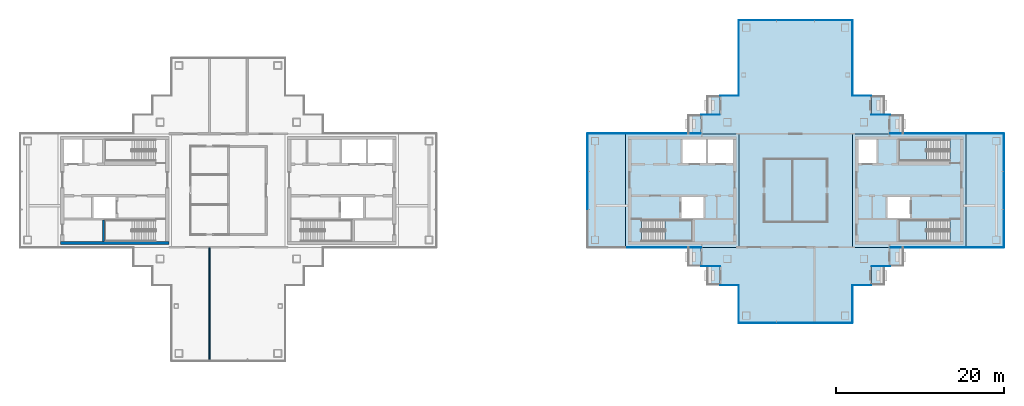
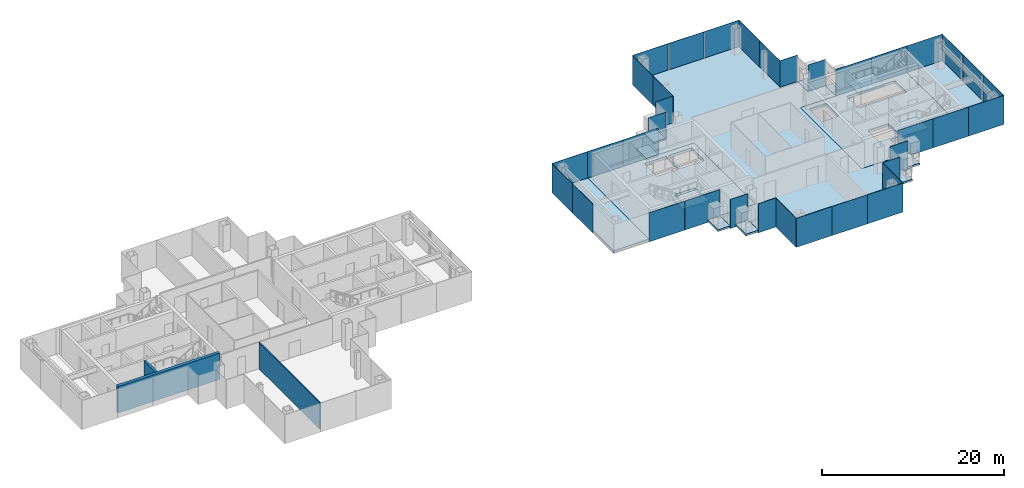
# One storey, part 8 of 16: 36 plates, 16 slabs, 3 walls, 22 elements without a shape of their own.
"""IFC4 building model written with IfcOpenShell, lengths in metres."""

from ifc_helpers import new_model, si_unit, direction, frame, frame_2d, origin, origin_2d, place, context, subcontext, project, spatial, polyline, rectangle, outline, extrude, material, layer, layer_set, type_object, element, aggregate, save


model = new_model("IFC4")

# Units and contexts
model_context = context("Model", 3, precision=1e-05, world=origin(), true_north=direction((0.0, 1.0)))
body_context = subcontext(model_context, "Body", "Model", "MODEL_VIEW")
ifc_project = project(units=[si_unit("LENGTHUNIT", "METRE"), si_unit("AREAUNIT", "SQUARE_METRE"), si_unit("VOLUMEUNIT", "CUBIC_METRE"), si_unit("PLANEANGLEUNIT", "RADIAN"), si_unit("MASSUNIT", "GRAM", prefix="KILO")], contexts=[model_context])

# Site, building, storey
site_placement = place(None, origin())
site = spatial("IfcSite", under=ifc_project, at=site_placement, CompositionType="ELEMENT")
building_placement = place(site_placement, origin())
building = spatial("IfcBuilding", under=site, at=building_placement, Name="Shamsa Quay Exchange Towers", CompositionType="ELEMENT")
storey_placement = place(building_placement, frame((0.0, 0.0, 246.0)))
storey = spatial("IfcBuildingStorey", under=building, at=storey_placement, Name="L59", CompositionType="ELEMENT", Elevation=246.0)

# Slabs
ifc_material_1 = material(Name="Precast concrete C40/50", Category="concrete")
ifc_layer_1 = layer(ifc_material_1, 0.25)
ifc_layer_set_1 = layer_set([ifc_layer_1], Name="BALCONY SLAB 250")
slab_type_1 = type_object("IfcSlabType", Name="BALCONY SLAB 250", PredefinedType="FLOOR", material=ifc_layer_set_1)
slab_1_placement = place(storey_placement, frame((0.0, 0.0, -0.25)))
element("IfcSlab", 1, at=slab_1_placement, inside=storey, type_object=slab_type_1, Name="Balcony T2-PKEN L59", PredefinedType="FLOOR", context=body_context, shape_type="SweptSolid", body=[
    extrude(outline(polyline([(24.75, 11.25), (24.75, 9.0380859375), (23.199951171875, 9.0380859375), (23.199951171875, 11.25), (24.75, 11.25)])), origin(), (0.0, 0.0, 1.0), 0.25),
])
slab_2_placement = place(storey_placement, frame((0.0, 0.0, -0.25)))
element("IfcSlab", 2, at=slab_2_placement, inside=storey, type_object=slab_type_1, Name="Balcony T2-PKEN L59", PredefinedType="FLOOR", context=body_context, shape_type="SweptSolid", body=[
    extrude(outline(polyline([(22.5, 9.0), (22.5, 6.7880859375), (20.949951171875, 6.7880859375), (20.949951171875, 9.0), (22.5, 9.0)])), origin(), (0.0, 0.0, 1.0), 0.25),
])
slab_3_placement = place(storey_placement, frame((0.0, 0.0, -0.25)))
element("IfcSlab", 3, at=slab_3_placement, inside=storey, type_object=slab_type_1, Name="Balcony T2-PKES L59", PredefinedType="FLOOR", context=body_context, shape_type="SweptSolid", body=[
    extrude(outline(polyline([(42.75, 9.0380859375), (42.75, 11.25), (44.300048828125, 11.25), (44.300048828125, 9.0380859375), (42.75, 9.0380859375)])), origin(), (0.0, 0.0, 1.0), 0.25),
])
slab_4_placement = place(storey_placement, frame((0.0, 0.0, -0.25)))
element("IfcSlab", 4, at=slab_4_placement, inside=storey, type_object=slab_type_1, Name="Balcony T2-PKES L59", PredefinedType="FLOOR", context=body_context, shape_type="SweptSolid", body=[
    extrude(outline(polyline([(45.0, 6.7880859375), (45.0, 9.0), (46.550048828125, 9.0), (46.550048828125, 6.7880859375), (45.0, 6.7880859375)])), origin(), (0.0, 0.0, 1.0), 0.25),
])
slab_5_placement = place(storey_placement, frame((0.0, 0.0, -0.25)))
element("IfcSlab", 5, at=slab_5_placement, inside=storey, type_object=slab_type_1, Name="Balcony T2-PKWN L59", PredefinedType="FLOOR", context=body_context, shape_type="SweptSolid", body=[
    extrude(outline(polyline([(22.5, -6.7880859375), (22.5, -9.0), (20.949951171875, -9.0), (20.949951171875, -6.7880859375), (22.5, -6.7880859375)])), origin(), (0.0, 0.0, 1.0), 0.25),
])
slab_6_placement = place(storey_placement, frame((0.0, 0.0, -0.25)))
element("IfcSlab", 6, at=slab_6_placement, inside=storey, type_object=slab_type_1, Name="Balcony T2-PKWN L59", PredefinedType="FLOOR", context=body_context, shape_type="SweptSolid", body=[
    extrude(outline(polyline([(24.75, -9.0380859375), (24.75, -11.25), (23.199951171875, -11.25), (23.199951171875, -9.0380859375), (24.75, -9.0380859375)])), origin(), (0.0, 0.0, 1.0), 0.25),
])
slab_7_placement = place(storey_placement, frame((0.0, 0.0, -0.25)))
element("IfcSlab", 7, at=slab_7_placement, inside=storey, type_object=slab_type_1, Name="Balcony T2-PKWS L59", PredefinedType="FLOOR", context=body_context, shape_type="SweptSolid", body=[
    extrude(outline(polyline([(42.75, -11.25), (42.75, -9.0380859375), (44.300048828125, -9.0380859375), (44.300048828125, -11.25), (42.75, -11.25)])), origin(), (0.0, 0.0, 1.0), 0.25),
])
slab_8_placement = place(storey_placement, frame((0.0, 0.0, -0.25)))
element("IfcSlab", 8, at=slab_8_placement, inside=storey, type_object=slab_type_1, Name="Balcony T2-PKWS L59", PredefinedType="FLOOR", context=body_context, shape_type="SweptSolid", body=[
    extrude(outline(polyline([(45.0, -9.0), (45.0, -6.7880859375), (46.550048828125, -6.7880859375), (46.550048828125, -9.0), (45.0, -9.0)])), origin(), (0.0, 0.0, 1.0), 0.25),
])
ifc_material_2 = material(Name="Concrete C50/60", Category="concrete")
ifc_layer_2 = layer(ifc_material_2, 0.35009765625)
ifc_layer_set_2 = layer_set([ifc_layer_2], Name="CORE FLOOR 350 C50/60")
slab_type_2 = type_object("IfcSlabType", Name="CORE FLOOR 350 C50/60", PredefinedType="FLOOR", material=ifc_layer_set_2)
slab_9_placement = place(storey_placement, frame((0.0, 0.0, -0.35009765625)))
element("IfcSlab", 9, at=slab_9_placement, inside=storey, type_object=slab_type_2, Name="Core floor T2A", PredefinedType="FLOOR", context=body_context, shape_type="SweptSolid", body=[
    extrude(outline(polyline([(13.5, -6.75), (27.0, -6.75), (27.0, 6.75), (13.5, 6.75), (13.5, -6.75)]), holes=[polyline([(15.400634765625, -6.050048828125), (15.400634765625, -3.5), (21.5, -3.5), (21.5, -6.050048828125), (15.400634765625, -6.050048828125)]), polyline([(20.300048828125, 3.25), (20.300048828125, 6.050048828125), (23.10009765625, 6.050048828125), (23.10009765625, 3.25), (20.300048828125, 3.25)]), polyline([(23.35009765625, 3.25), (23.35009765625, 6.050048828125), (26.300048828125, 6.050048828125), (26.300048828125, 3.25), (23.35009765625, 3.25)]), polyline([(20.14990234375, -3.25), (20.14990234375, -0.75), (22.800048828125, -0.75), (22.800048828125, -3.25), (20.14990234375, -3.25)])]), origin(), (0.0, 0.0, 1.0), 0.35009765625),
])
slab_10_placement = place(storey_placement, frame((0.0, 0.0, -0.35009765625)))
element("IfcSlab", 10, at=slab_10_placement, inside=storey, type_object=slab_type_2, Name="Core floor T2B", PredefinedType="FLOOR", context=body_context, shape_type="SweptSolid", body=[
    extrude(outline(polyline([(54.0, -6.75), (54.0, 6.75), (40.5, 6.75), (40.5, -6.75), (54.0, -6.75)]), holes=[polyline([(52.099365234375, -3.5), (52.099365234375, -6.050048828125), (46.0, -6.050048828125), (46.0, -3.5), (52.099365234375, -3.5)]), polyline([(52.099365234375, 6.050048828125), (52.099365234375, 3.5), (46.0, 3.5), (46.0, 6.050048828125), (52.099365234375, 6.050048828125)]), polyline([(43.35009765625, 3.25), (41.199951171875, 3.25), (41.199951171875, 6.050048828125), (43.35009765625, 6.050048828125), (43.35009765625, 3.25)]), polyline([(47.35009765625, -3.25), (44.699951171875, -3.25), (44.699951171875, -0.75), (47.35009765625, -0.75), (47.35009765625, -3.25)])]), origin(), (0.0, 0.0, 1.0), 0.35009765625),
])

# Stair, slab
ifc_material_3 = material(Name="Concrete C40/50", Category="concrete")
stair_type = type_object("IfcStairType", Name="EXIT STAIR 22 RISERS 177 MM", PredefinedType="HALF_TURN_STAIR", material=ifc_material_3)
stair_1_placement = place(storey_placement, origin())
stair_1 = element("IfcStair", 11, at=stair_1_placement, inside=storey, type_object=stair_type, Name="L59 Exit stair ST4", PredefinedType="HALF_TURN_STAIR")
ifc_layer_3 = layer(ifc_material_3, 0.199951171875)
ifc_layer_set_3 = layer_set([ifc_layer_3], Name="CORE STAIR LANDING")
slab_type_3 = type_object("IfcSlabType", Name="CORE STAIR LANDING", PredefinedType="LANDING", material=ifc_layer_set_3)
slab_11_placement = place(storey_placement, frame((0.0, 0.0, 1.75)))
slab_11 = element("IfcSlab", 12, at=slab_11_placement, type_object=slab_type_3, Name="ST4 landing 1", PredefinedType="LANDING", context=body_context, shape_type="SweptSolid", body=[
    extrude(outline(polyline([(18.199951171875, -6.050048828125), (21.5, -6.050048828125), (21.5, -3.5), (18.199951171875, -3.5), (18.199951171875, -6.050048828125)])), origin(), (0.0, 0.0, 1.0), 0.199951171875),
])
aggregate(stair_1, [slab_11])

stair_2_placement = place(storey_placement, origin())
stair_2 = element("IfcStair", 13, at=stair_2_placement, inside=storey, type_object=stair_type, Name="L59 Exit stair ST5", PredefinedType="HALF_TURN_STAIR")
slab_12_placement = place(storey_placement, frame((0.0, 0.0, 1.75)))
slab_12 = element("IfcSlab", 14, at=slab_12_placement, type_object=slab_type_3, Name="ST5 landing 1", PredefinedType="LANDING", context=body_context, shape_type="SweptSolid", body=[
    extrude(outline(polyline([(49.300048828125, -3.5), (46.0, -3.5), (46.0, -6.050048828125), (49.300048828125, -6.050048828125), (49.300048828125, -3.5)])), origin(), (0.0, 0.0, 1.0), 0.199951171875),
])
aggregate(stair_2, [slab_12])

stair_3_placement = place(storey_placement, origin())
stair_3 = element("IfcStair", 15, at=stair_3_placement, inside=storey, type_object=stair_type, Name="L59 Exit stair ST6", PredefinedType="HALF_TURN_STAIR")
slab_13_placement = place(storey_placement, frame((0.0, 0.0, 1.75)))
slab_13 = element("IfcSlab", 16, at=slab_13_placement, type_object=slab_type_3, Name="ST6 landing 1", PredefinedType="LANDING", context=body_context, shape_type="SweptSolid", body=[
    extrude(outline(polyline([(49.300048828125, 6.050048828125), (46.0, 6.050048828125), (46.0, 3.5), (49.300048828125, 3.5), (49.300048828125, 6.050048828125)])), origin(), (0.0, 0.0, 1.0), 0.199951171875),
])
aggregate(stair_3, [slab_13])

# Curtain wall, plate
ifc_material_4 = material(Name="Aluminium EN AW-6063 T6, black anodised", Category="aluminium")
ifc_layer_4 = layer(ifc_material_4, 0.280029296875)
ifc_layer_set_4 = layer_set([ifc_layer_4], Name="CW-1 UNITISED VISION GLASS")
curtain_wall_type_1 = type_object("IfcCurtainWallType", Name="CW-1 UNITISED VISION GLASS", PredefinedType="NOTDEFINED", material=ifc_layer_set_4)
curtain_wall_1_placement = place(storey_placement, origin())
curtain_wall_1 = element("IfcCurtainWall", 17, at=curtain_wall_1_placement, inside=storey, type_object=curtain_wall_type_1, Name="CW1 T2-FLK-V-W L59", PredefinedType="NOTDEFINED")
ifc_material_5 = material(Name="Glass, laminated, dark tinted", Category="glass")
ifc_layer_5 = layer(ifc_material_5, 0.0400390625)
ifc_layer_set_5 = layer_set([ifc_layer_5], Name="CW-1 VISION GLASS 40")
plate_type_1 = type_object("IfcPlateType", Name="CW-1 VISION GLASS 40", PredefinedType="CURTAIN_PANEL", material=ifc_layer_set_5)
plate_1_placement = place(storey_placement, frame((56.25, -6.77001953125, -0.349853515625)))
plate_1 = element("IfcPlate", 18, at=plate_1_placement, type_object=plate_type_1, Name="CW1 glass panel", PredefinedType="CURTAIN_PANEL", context=body_context, shape_type="SweptSolid", body=[
    extrude(rectangle(XDim=4.5, YDim=0.0400390625, at=origin_2d()), origin(), (0.0, 0.0, 1.0), 3.89990234375),
])
aggregate(curtain_wall_1, [plate_1])

# Curtain wall, plates
curtain_wall_2_placement = place(storey_placement, origin())
curtain_wall_2 = element("IfcCurtainWall", 19, at=curtain_wall_2_placement, inside=storey, type_object=curtain_wall_type_1, Name="CW1 T2-END-V- L59", PredefinedType="NOTDEFINED")
plate_2_placement = place(storey_placement, frame((58.52001953125, -4.50244140625, -0.349853515625), z_axis=(0.0, 0.0, 1.0), x_axis=(0.0, 1.0, 0.0)))
plate_2 = element("IfcPlate", 20, at=plate_2_placement, type_object=plate_type_1, Name="CW1 glass panel", PredefinedType="CURTAIN_PANEL", context=body_context, shape_type="SweptSolid", body=[
    extrude(rectangle(XDim=4.4951171875, YDim=0.0400390625, at=origin_2d()), origin(), (0.0, 0.0, 1.0), 3.89990234375),
])
plate_3_placement = place(storey_placement, frame((58.52001953125, 0.0, -0.349853515625), z_axis=(0.0, 0.0, 1.0), x_axis=(0.0, 1.0, 0.0)))
plate_3 = element("IfcPlate", 21, at=plate_3_placement, type_object=plate_type_1, Name="CW1 glass panel", PredefinedType="CURTAIN_PANEL", context=body_context, shape_type="SweptSolid", body=[
    extrude(rectangle(XDim=4.489990234375, YDim=0.0400390625, at=origin_2d()), origin(), (0.0, 0.0, 1.0), 3.89990234375),
])
plate_4_placement = place(storey_placement, frame((58.52001953125, 4.50244140625, -0.349853515625), z_axis=(0.0, 0.0, 1.0), x_axis=(0.0, 1.0, 0.0)))
plate_4 = element("IfcPlate", 22, at=plate_4_placement, type_object=plate_type_1, Name="CW1 glass panel", PredefinedType="CURTAIN_PANEL", context=body_context, shape_type="SweptSolid", body=[
    extrude(rectangle(XDim=4.4951171875, YDim=0.0400390625, at=origin_2d()), origin(), (0.0, 0.0, 1.0), 3.89990234375),
])
aggregate(curtain_wall_2, [plate_2, plate_3, plate_4])

# Curtain wall, plate
curtain_wall_3_placement = place(storey_placement, origin())
curtain_wall_3 = element("IfcCurtainWall", 23, at=curtain_wall_3_placement, inside=storey, type_object=curtain_wall_type_1, Name="CW1 T2-FLK-V-E L59", PredefinedType="NOTDEFINED")
plate_5_placement = place(storey_placement, frame((56.25, 6.77001953125, -0.349853515625), z_axis=(0.0, 0.0, 1.0), x_axis=(-1.0, 0.0, 0.0)))
plate_5 = element("IfcPlate", 24, at=plate_5_placement, type_object=plate_type_1, Name="CW1 glass panel", PredefinedType="CURTAIN_PANEL", context=body_context, shape_type="SweptSolid", body=[
    extrude(rectangle(XDim=4.5, YDim=0.0400390625, at=origin_2d()), origin(), (0.0, 0.0, 1.0), 3.89990234375),
])
aggregate(curtain_wall_3, [plate_5])

# Curtain wall, plates
curtain_wall_4_placement = place(storey_placement, origin())
curtain_wall_4 = element("IfcCurtainWall", 25, at=curtain_wall_4_placement, inside=storey, type_object=curtain_wall_type_1, Name="CW1 T2-FLK-U+S L59", PredefinedType="NOTDEFINED")
plate_6_placement = place(storey_placement, frame((40.52001953125, 13.52587890625, -0.349853515625), z_axis=(0.0, 0.0, 1.0), x_axis=(0.0, 1.0, 0.0)))
plate_6 = element("IfcPlate", 26, at=plate_6_placement, type_object=plate_type_1, Name="CW1 glass panel", PredefinedType="CURTAIN_PANEL", context=body_context, shape_type="SweptSolid", body=[
    extrude(rectangle(XDim=4.47607421875, YDim=0.0400390625, at=origin_2d()), origin(), (0.0, 0.0, 1.0), 3.89990234375),
])
plate_7_placement = place(storey_placement, frame((40.52001953125, 18.011962890625, -0.349853515625), z_axis=(0.0, 0.0, 1.0), x_axis=(0.0, 1.0, 0.0)))
plate_7 = element("IfcPlate", 27, at=plate_7_placement, type_object=plate_type_1, Name="CW1 glass panel", PredefinedType="CURTAIN_PANEL", context=body_context, shape_type="SweptSolid", body=[
    extrude(rectangle(XDim=4.47607421875, YDim=0.0400390625, at=origin_2d()), origin(), (0.0, 0.0, 1.0), 3.89990234375),
])
aggregate(curtain_wall_4, [plate_6, plate_7])

curtain_wall_5_placement = place(storey_placement, origin())
curtain_wall_5 = element("IfcCurtainWall", 28, at=curtain_wall_5_placement, inside=storey, type_object=curtain_wall_type_1, Name="CW1 T2-END-U+ L59", PredefinedType="NOTDEFINED")
plate_8_placement = place(storey_placement, frame((38.25244140625, 20.27001953125, -0.349853515625), z_axis=(0.0, 0.0, 1.0), x_axis=(-1.0, 0.0, 0.0)))
plate_8 = element("IfcPlate", 29, at=plate_8_placement, type_object=plate_type_1, Name="CW1 glass panel", PredefinedType="CURTAIN_PANEL", context=body_context, shape_type="SweptSolid", body=[
    extrude(rectangle(XDim=4.4951171875, YDim=0.0400390625, at=origin_2d()), origin(), (0.0, 0.0, 1.0), 3.89990234375),
])
plate_9_placement = place(storey_placement, frame((33.75, 20.27001953125, -0.349853515625), z_axis=(0.0, 0.0, 1.0), x_axis=(-1.0, 0.0, 0.0)))
plate_9 = element("IfcPlate", 30, at=plate_9_placement, type_object=plate_type_1, Name="CW1 glass panel", PredefinedType="CURTAIN_PANEL", context=body_context, shape_type="SweptSolid", body=[
    extrude(rectangle(XDim=4.489990234375, YDim=0.0400390625, at=origin_2d()), origin(), (0.0, 0.0, 1.0), 3.89990234375),
])
plate_10_placement = place(storey_placement, frame((29.24755859375, 20.27001953125, -0.349853515625), z_axis=(0.0, 0.0, 1.0), x_axis=(-1.0, 0.0, 0.0)))
plate_10 = element("IfcPlate", 31, at=plate_10_placement, type_object=plate_type_1, Name="CW1 glass panel", PredefinedType="CURTAIN_PANEL", context=body_context, shape_type="SweptSolid", body=[
    extrude(rectangle(XDim=4.4951171875, YDim=0.0400390625, at=origin_2d()), origin(), (0.0, 0.0, 1.0), 3.89990234375),
])
aggregate(curtain_wall_5, [plate_8, plate_9, plate_10])

curtain_wall_6_placement = place(storey_placement, origin())
curtain_wall_6 = element("IfcCurtainWall", 32, at=curtain_wall_6_placement, inside=storey, type_object=curtain_wall_type_1, Name="CW1 T2-FLK-U+N L59", PredefinedType="NOTDEFINED")
plate_11_placement = place(storey_placement, frame((26.97998046875, 18.00244140625, -0.349853515625), z_axis=(0.0, 0.0, 1.0), x_axis=(0.0, -1.0, 0.0)))
plate_11 = element("IfcPlate", 33, at=plate_11_placement, type_object=plate_type_1, Name="CW1 glass panel", PredefinedType="CURTAIN_PANEL", context=body_context, shape_type="SweptSolid", body=[
    extrude(rectangle(XDim=4.4951171875, YDim=0.0400390625, at=origin_2d()), origin(), (0.0, 0.0, 1.0), 3.89990234375),
])
plate_12_placement = place(storey_placement, frame((26.97998046875, 13.49755859375, -0.349853515625), z_axis=(0.0, 0.0, 1.0), x_axis=(0.0, -1.0, 0.0)))
plate_12 = element("IfcPlate", 34, at=plate_12_placement, type_object=plate_type_1, Name="CW1 glass panel", PredefinedType="CURTAIN_PANEL", context=body_context, shape_type="SweptSolid", body=[
    extrude(rectangle(XDim=4.4951171875, YDim=0.0400390625, at=origin_2d()), origin(), (0.0, 0.0, 1.0), 3.89990234375),
])
aggregate(curtain_wall_6, [plate_11, plate_12])

# Curtain wall, plate
curtain_wall_7_placement = place(storey_placement, origin())
curtain_wall_7 = element("IfcCurtainWall", 35, at=curtain_wall_7_placement, inside=storey, type_object=curtain_wall_type_1, Name="CW1 T2-FLK-V+E L59", PredefinedType="NOTDEFINED")
plate_13_placement = place(storey_placement, frame((11.25, 6.77001953125, -0.349853515625), z_axis=(0.0, 0.0, 1.0), x_axis=(-1.0, 0.0, 0.0)))
plate_13 = element("IfcPlate", 36, at=plate_13_placement, type_object=plate_type_1, Name="CW1 glass panel", PredefinedType="CURTAIN_PANEL", context=body_context, shape_type="SweptSolid", body=[
    extrude(rectangle(XDim=4.5, YDim=0.0400390625, at=origin_2d()), origin(), (0.0, 0.0, 1.0), 3.89990234375),
])
aggregate(curtain_wall_7, [plate_13])

# Curtain wall, plates
curtain_wall_8_placement = place(storey_placement, origin())
curtain_wall_8 = element("IfcCurtainWall", 37, at=curtain_wall_8_placement, inside=storey, type_object=curtain_wall_type_1, Name="CW1 T2-END-V+ L59", PredefinedType="NOTDEFINED")
plate_14_placement = place(storey_placement, frame((8.97998046875, 4.50244140625, -0.349853515625), z_axis=(0.0, 0.0, 1.0), x_axis=(0.0, -1.0, 0.0)))
plate_14 = element("IfcPlate", 38, at=plate_14_placement, type_object=plate_type_1, Name="CW1 glass panel", PredefinedType="CURTAIN_PANEL", context=body_context, shape_type="SweptSolid", body=[
    extrude(rectangle(XDim=4.4951171875, YDim=0.0400390625, at=origin_2d()), origin(), (0.0, 0.0, 1.0), 3.89990234375),
])
plate_15_placement = place(storey_placement, frame((8.97998046875, 0.0, -0.349853515625), z_axis=(0.0, 0.0, 1.0), x_axis=(0.0, -1.0, 0.0)))
plate_15 = element("IfcPlate", 39, at=plate_15_placement, type_object=plate_type_1, Name="CW1 glass panel", PredefinedType="CURTAIN_PANEL", context=body_context, shape_type="SweptSolid", body=[
    extrude(rectangle(XDim=4.489990234375, YDim=0.0400390625, at=origin_2d()), origin(), (0.0, 0.0, 1.0), 3.89990234375),
])
aggregate(curtain_wall_8, [plate_14, plate_15])

# Curtain wall, plate
curtain_wall_9_placement = place(storey_placement, origin())
curtain_wall_9 = element("IfcCurtainWall", 40, at=curtain_wall_9_placement, inside=storey, type_object=curtain_wall_type_1, Name="CW1 T2-FLK-U-N L59", PredefinedType="NOTDEFINED")
plate_16_placement = place(storey_placement, frame((26.97998046875, -13.51904296875, -0.349853515625), z_axis=(0.0, 0.0, 1.0), x_axis=(0.0, -1.0, 0.0)))
plate_16 = element("IfcPlate", 41, at=plate_16_placement, type_object=plate_type_1, Name="CW1 glass panel", PredefinedType="CURTAIN_PANEL", context=body_context, shape_type="SweptSolid", body=[
    extrude(rectangle(XDim=4.4619140625, YDim=0.0400390625, at=origin_2d()), origin(), (0.0, 0.0, 1.0), 3.89990234375),
])
aggregate(curtain_wall_9, [plate_16])

# Curtain wall, plates
curtain_wall_10_placement = place(storey_placement, origin())
curtain_wall_10 = element("IfcCurtainWall", 42, at=curtain_wall_10_placement, inside=storey, type_object=curtain_wall_type_1, Name="CW1 T2-END-U- L59", PredefinedType="NOTDEFINED")
plate_17_placement = place(storey_placement, frame((29.24755859375, -15.77001953125, -0.349853515625)))
plate_17 = element("IfcPlate", 43, at=plate_17_placement, type_object=plate_type_1, Name="CW1 glass panel", PredefinedType="CURTAIN_PANEL", context=body_context, shape_type="SweptSolid", body=[
    extrude(rectangle(XDim=4.4951171875, YDim=0.0400390625, at=origin_2d()), origin(), (0.0, 0.0, 1.0), 3.89990234375),
])
plate_18_placement = place(storey_placement, frame((33.75, -15.77001953125, -0.349853515625)))
plate_18 = element("IfcPlate", 44, at=plate_18_placement, type_object=plate_type_1, Name="CW1 glass panel", PredefinedType="CURTAIN_PANEL", context=body_context, shape_type="SweptSolid", body=[
    extrude(rectangle(XDim=4.489990234375, YDim=0.0400390625, at=origin_2d()), origin(), (0.0, 0.0, 1.0), 3.89990234375),
])
plate_19_placement = place(storey_placement, frame((38.25244140625, -15.77001953125, -0.349853515625)))
plate_19 = element("IfcPlate", 45, at=plate_19_placement, type_object=plate_type_1, Name="CW1 glass panel", PredefinedType="CURTAIN_PANEL", context=body_context, shape_type="SweptSolid", body=[
    extrude(rectangle(XDim=4.4951171875, YDim=0.0400390625, at=origin_2d()), origin(), (0.0, 0.0, 1.0), 3.89990234375),
])
aggregate(curtain_wall_10, [plate_17, plate_18, plate_19])

# Curtain wall, plate
curtain_wall_11_placement = place(storey_placement, origin())
curtain_wall_11 = element("IfcCurtainWall", 46, at=curtain_wall_11_placement, inside=storey, type_object=curtain_wall_type_1, Name="CW1 T2-FLK-U-S L59", PredefinedType="NOTDEFINED")
plate_20_placement = place(storey_placement, frame((40.52001953125, -13.5, -0.349853515625), z_axis=(0.0, 0.0, 1.0), x_axis=(0.0, 1.0, 0.0)))
plate_20 = element("IfcPlate", 47, at=plate_20_placement, type_object=plate_type_1, Name="CW1 glass panel", PredefinedType="CURTAIN_PANEL", context=body_context, shape_type="SweptSolid", body=[
    extrude(rectangle(XDim=4.5, YDim=0.0400390625, at=origin_2d()), origin(), (0.0, 0.0, 1.0), 3.89990234375),
])
aggregate(curtain_wall_11, [plate_20])

# Curtain wall, plates
ifc_layer_6 = layer(ifc_material_4, 0.303955078125)
ifc_layer_set_6 = layer_set([ifc_layer_6], Name="CW-2 UNITISED OPAQUE SPANDREL GLASS")
curtain_wall_type_2 = type_object("IfcCurtainWallType", Name="CW-2 UNITISED OPAQUE SPANDREL GLASS", PredefinedType="NOTDEFINED", material=ifc_layer_set_6)
curtain_wall_12_placement = place(storey_placement, origin())
curtain_wall_12 = element("IfcCurtainWall", 48, at=curtain_wall_12_placement, inside=storey, type_object=curtain_wall_type_2, Name="CW2 T2-FLK-V-W L59", PredefinedType="NOTDEFINED")
ifc_material_6 = material(Name="Glass, laminated, black enamelled opaque", Category="glass")
ifc_layer_7 = layer(ifc_material_6, 0.0439453125)
ifc_layer_set_7 = layer_set([ifc_layer_7], Name="CW-2 SPANDREL GLASS 44")
plate_type_2 = type_object("IfcPlateType", Name="CW-2 SPANDREL GLASS 44", PredefinedType="CURTAIN_PANEL", material=ifc_layer_set_7)
plate_21_placement = place(storey_placement, frame((47.27587890625, -6.77197265625, -0.349853515625)))
plate_21 = element("IfcPlate", 49, at=plate_21_placement, type_object=plate_type_2, Name="CW2 glass panel", PredefinedType="CURTAIN_PANEL", context=body_context, shape_type="SweptSolid", body=[
    extrude(rectangle(XDim=4.47607421875, YDim=0.0439453125, at=origin_2d()), origin(), (0.0, 0.0, 1.0), 3.89990234375),
])
plate_22_placement = place(storey_placement, frame((51.761962890625, -6.77197265625, -0.349853515625)))
plate_22 = element("IfcPlate", 50, at=plate_22_placement, type_object=plate_type_2, Name="CW2 glass panel", PredefinedType="CURTAIN_PANEL", context=body_context, shape_type="SweptSolid", body=[
    extrude(rectangle(XDim=4.47607421875, YDim=0.0439453125, at=origin_2d()), origin(), (0.0, 0.0, 1.0), 3.89990234375),
])
aggregate(curtain_wall_12, [plate_21, plate_22])

curtain_wall_13_placement = place(storey_placement, origin())
curtain_wall_13 = element("IfcCurtainWall", 51, at=curtain_wall_13_placement, inside=storey, type_object=curtain_wall_type_2, Name="CW2 T2-FLK-V-E L59", PredefinedType="NOTDEFINED")
plate_23_placement = place(storey_placement, frame((51.75244140625, 6.77197265625, -0.349853515625), z_axis=(0.0, 0.0, 1.0), x_axis=(-1.0, 0.0, 0.0)))
plate_23 = element("IfcPlate", 52, at=plate_23_placement, type_object=plate_type_2, Name="CW2 glass panel", PredefinedType="CURTAIN_PANEL", context=body_context, shape_type="SweptSolid", body=[
    extrude(rectangle(XDim=4.4951171875, YDim=0.0439453125, at=origin_2d()), origin(), (0.0, 0.0, 1.0), 3.89990234375),
])
plate_24_placement = place(storey_placement, frame((47.24755859375, 6.77197265625, -0.349853515625), z_axis=(0.0, 0.0, 1.0), x_axis=(-1.0, 0.0, 0.0)))
plate_24 = element("IfcPlate", 53, at=plate_24_placement, type_object=plate_type_2, Name="CW2 glass panel", PredefinedType="CURTAIN_PANEL", context=body_context, shape_type="SweptSolid", body=[
    extrude(rectangle(XDim=4.4951171875, YDim=0.0439453125, at=origin_2d()), origin(), (0.0, 0.0, 1.0), 3.89990234375),
])
aggregate(curtain_wall_13, [plate_23, plate_24])

curtain_wall_14_placement = place(storey_placement, origin())
curtain_wall_14 = element("IfcCurtainWall", 54, at=curtain_wall_14_placement, inside=storey, type_object=curtain_wall_type_2, Name="CW2 T2-FLK-V+E L59", PredefinedType="NOTDEFINED")
plate_25_placement = place(storey_placement, frame((20.22412109375, 6.77197265625, -0.349853515625), z_axis=(0.0, 0.0, 1.0), x_axis=(-1.0, 0.0, 0.0)))
plate_25 = element("IfcPlate", 55, at=plate_25_placement, type_object=plate_type_2, Name="CW2 glass panel", PredefinedType="CURTAIN_PANEL", context=body_context, shape_type="SweptSolid", body=[
    extrude(rectangle(XDim=4.47607421875, YDim=0.0439453125, at=origin_2d()), origin(), (0.0, 0.0, 1.0), 3.89990234375),
])
plate_26_placement = place(storey_placement, frame((15.738037109375, 6.77197265625, -0.349853515625), z_axis=(0.0, 0.0, 1.0), x_axis=(-1.0, 0.0, 0.0)))
plate_26 = element("IfcPlate", 56, at=plate_26_placement, type_object=plate_type_2, Name="CW2 glass panel", PredefinedType="CURTAIN_PANEL", context=body_context, shape_type="SweptSolid", body=[
    extrude(rectangle(XDim=4.47607421875, YDim=0.0439453125, at=origin_2d()), origin(), (0.0, 0.0, 1.0), 3.89990234375),
])
aggregate(curtain_wall_14, [plate_25, plate_26])

curtain_wall_15_placement = place(storey_placement, origin())
curtain_wall_15 = element("IfcCurtainWall", 57, at=curtain_wall_15_placement, inside=storey, type_object=curtain_wall_type_2, Name="CW2 T2-FLK-V+W L59", PredefinedType="NOTDEFINED")
plate_27_placement = place(storey_placement, frame((15.74755859375, -6.77197265625, -0.349853515625)))
plate_27 = element("IfcPlate", 58, at=plate_27_placement, type_object=plate_type_2, Name="CW2 glass panel", PredefinedType="CURTAIN_PANEL", context=body_context, shape_type="SweptSolid", body=[
    extrude(rectangle(XDim=4.4951171875, YDim=0.0439453125, at=origin_2d()), origin(), (0.0, 0.0, 1.0), 3.89990234375),
])
plate_28_placement = place(storey_placement, frame((20.25244140625, -6.77197265625, -0.349853515625)))
plate_28 = element("IfcPlate", 59, at=plate_28_placement, type_object=plate_type_2, Name="CW2 glass panel", PredefinedType="CURTAIN_PANEL", context=body_context, shape_type="SweptSolid", body=[
    extrude(rectangle(XDim=4.4951171875, YDim=0.0439453125, at=origin_2d()), origin(), (0.0, 0.0, 1.0), 3.89990234375),
])
aggregate(curtain_wall_15, [plate_27, plate_28])

ifc_layer_8 = layer(ifc_material_4, 0.256103515625)
ifc_layer_set_8 = layer_set([ifc_layer_8], Name="CW-4 POCKET SERRATED GLAZING")
curtain_wall_type_3 = type_object("IfcCurtainWallType", Name="CW-4 POCKET SERRATED GLAZING", PredefinedType="NOTDEFINED", material=ifc_layer_set_8)
curtain_wall_16_placement = place(storey_placement, origin())
curtain_wall_16 = element("IfcCurtainWall", 60, at=curtain_wall_16_placement, inside=storey, type_object=curtain_wall_type_3, Name="CW4 PKWS L59", PredefinedType="NOTDEFINED")
ifc_layer_9 = layer(ifc_material_5, 0.035888671875)
ifc_layer_set_9 = layer_set([ifc_layer_9], Name="CW-4 POCKET GLASS 36")
plate_type_3 = type_object("IfcPlateType", Name="CW-4 POCKET GLASS 36", PredefinedType="CURTAIN_PANEL", material=ifc_layer_set_9)
plate_29_placement = place(storey_placement, frame((43.89404296875, -9.01806640625, -0.349853515625)))
plate_29 = element("IfcPlate", 61, at=plate_29_placement, type_object=plate_type_3, Name="CW4 glass panel", PredefinedType="CURTAIN_PANEL", context=body_context, shape_type="SweptSolid", body=[
    extrude(rectangle(XDim=2.2119140625, YDim=0.035888671875, at=origin_2d()), origin(), (0.0, 0.0, 1.0), 3.89990234375),
])
plate_30_placement = place(storey_placement, frame((41.64599609375, -11.26806640625, -0.349853515625)))
plate_30 = element("IfcPlate", 62, at=plate_30_placement, type_object=plate_type_3, Name="CW4 glass panel", PredefinedType="CURTAIN_PANEL", context=body_context, shape_type="SweptSolid", body=[
    extrude(rectangle(XDim=2.2080078125, YDim=0.035888671875, at=origin_2d()), origin(), (0.0, 0.0, 1.0), 3.89990234375),
])
aggregate(curtain_wall_16, [plate_29, plate_30])

curtain_wall_17_placement = place(storey_placement, origin())
curtain_wall_17 = element("IfcCurtainWall", 63, at=curtain_wall_17_placement, inside=storey, type_object=curtain_wall_type_3, Name="CW4 PKES L59", PredefinedType="NOTDEFINED")
plate_31_placement = place(storey_placement, frame((43.875, 9.01806640625, -0.349853515625), z_axis=(0.0, 0.0, 1.0), x_axis=(-1.0, 0.0, 0.0)))
plate_31 = element("IfcPlate", 64, at=plate_31_placement, type_object=plate_type_3, Name="CW4 glass panel", PredefinedType="CURTAIN_PANEL", context=body_context, shape_type="SweptSolid", body=[
    extrude(rectangle(XDim=2.25, YDim=0.035888671875, at=origin_2d()), origin(), (0.0, 0.0, 1.0), 3.89990234375),
])
plate_32_placement = place(storey_placement, frame((41.625, 11.26806640625, -0.349853515625), z_axis=(0.0, 0.0, 1.0), x_axis=(-1.0, 0.0, 0.0)))
plate_32 = element("IfcPlate", 65, at=plate_32_placement, type_object=plate_type_3, Name="CW4 glass panel", PredefinedType="CURTAIN_PANEL", context=body_context, shape_type="SweptSolid", body=[
    extrude(rectangle(XDim=2.25, YDim=0.035888671875, at=origin_2d()), origin(), (0.0, 0.0, 1.0), 3.89990234375),
])
aggregate(curtain_wall_17, [plate_31, plate_32])

curtain_wall_18_placement = place(storey_placement, origin())
curtain_wall_18 = element("IfcCurtainWall", 66, at=curtain_wall_18_placement, inside=storey, type_object=curtain_wall_type_3, Name="CW4 PKEN L59", PredefinedType="NOTDEFINED")
plate_33_placement = place(storey_placement, frame((25.85400390625, 11.26806640625, -0.349853515625), z_axis=(0.0, 0.0, 1.0), x_axis=(-1.0, 0.0, 0.0)))
plate_33 = element("IfcPlate", 67, at=plate_33_placement, type_object=plate_type_3, Name="CW4 glass panel", PredefinedType="CURTAIN_PANEL", context=body_context, shape_type="SweptSolid", body=[
    extrude(rectangle(XDim=2.2080078125, YDim=0.035888671875, at=origin_2d()), origin(), (0.0, 0.0, 1.0), 3.89990234375),
])
plate_34_placement = place(storey_placement, frame((23.60595703125, 9.01806640625, -0.349853515625), z_axis=(0.0, 0.0, 1.0), x_axis=(-1.0, 0.0, 0.0)))
plate_34 = element("IfcPlate", 68, at=plate_34_placement, type_object=plate_type_3, Name="CW4 glass panel", PredefinedType="CURTAIN_PANEL", context=body_context, shape_type="SweptSolid", body=[
    extrude(rectangle(XDim=2.2119140625, YDim=0.035888671875, at=origin_2d()), origin(), (0.0, 0.0, 1.0), 3.89990234375),
])
aggregate(curtain_wall_18, [plate_33, plate_34])

curtain_wall_19_placement = place(storey_placement, origin())
curtain_wall_19 = element("IfcCurtainWall", 69, at=curtain_wall_19_placement, inside=storey, type_object=curtain_wall_type_3, Name="CW4 PKWN L59", PredefinedType="NOTDEFINED")
plate_35_placement = place(storey_placement, frame((23.625, -9.01806640625, -0.349853515625)))
plate_35 = element("IfcPlate", 70, at=plate_35_placement, type_object=plate_type_3, Name="CW4 glass panel", PredefinedType="CURTAIN_PANEL", context=body_context, shape_type="SweptSolid", body=[
    extrude(rectangle(XDim=2.25, YDim=0.035888671875, at=origin_2d()), origin(), (0.0, 0.0, 1.0), 3.89990234375),
])
plate_36_placement = place(storey_placement, frame((25.875, -11.26806640625, -0.349853515625)))
plate_36 = element("IfcPlate", 71, at=plate_36_placement, type_object=plate_type_3, Name="CW4 glass panel", PredefinedType="CURTAIN_PANEL", context=body_context, shape_type="SweptSolid", body=[
    extrude(rectangle(XDim=2.25, YDim=0.035888671875, at=origin_2d()), origin(), (0.0, 0.0, 1.0), 3.89990234375),
])
aggregate(curtain_wall_19, [plate_35, plate_36])

# Slabs
ifc_layer_10 = layer(ifc_material_3, 0.35009765625)
ifc_layer_set_10 = layer_set([ifc_layer_10], Name="Flat slab 350")
slab_type_4 = type_object("IfcSlabType", Name="Flat slab 350", PredefinedType="FLOOR", material=ifc_layer_set_10)
slab_14_placement = place(storey_placement, frame((0.0, 0.0, -0.35009765625)))
element("IfcSlab", 72, at=slab_14_placement, inside=storey, type_object=slab_type_4, Name="Flat slab T2 L59 4", PredefinedType="FLOOR", context=body_context, shape_type="SweptSolid", body=[
    extrude(outline(polyline([(9.0, -6.75), (13.5, -6.75), (13.5, 6.75), (9.0, 6.75), (9.0, -6.75)])), origin(), (0.0, 0.0, 1.0), 0.35009765625),
])
slab_15_placement = place(storey_placement, frame((0.0, 0.0, -0.35009765625)))
element("IfcSlab", 73, at=slab_15_placement, inside=storey, type_object=slab_type_4, Name="Flat slab T2 L59 5", PredefinedType="FLOOR", context=body_context, shape_type="SweptSolid", body=[
    extrude(outline(polyline([(45.0, -9.0), (45.0, -6.75), (40.5, -6.75), (40.5, 6.75), (45.0, 6.75), (45.0, 9.0), (42.75, 9.0), (42.75, 11.25), (40.5, 11.25), (40.5, 20.25), (27.0, 20.25), (27.0, 11.25), (24.75, 11.25), (24.75, 9.0), (22.5, 9.0), (22.5, 6.75), (27.0, 6.75), (27.0, -6.75), (22.5, -6.75), (22.5, -9.0), (24.75, -9.0), (24.75, -11.25), (27.0, -11.25), (27.0, -15.75), (40.5, -15.75), (40.5, -11.25), (42.75, -11.25), (42.75, -9.0), (45.0, -9.0)])), origin(), (0.0, 0.0, 1.0), 0.35009765625),
])
slab_16_placement = place(storey_placement, frame((0.0, 0.0, -0.35009765625)))
element("IfcSlab", 74, at=slab_16_placement, inside=storey, type_object=slab_type_4, Name="Flat slab T2 L59 6", PredefinedType="FLOOR", context=body_context, shape_type="SweptSolid", body=[
    extrude(outline(polyline([(58.5, 6.75), (54.0, 6.75), (54.0, -6.75), (58.5, -6.75), (58.5, 6.75)])), origin(), (0.0, 0.0, 1.0), 0.35009765625),
])

# Walls
ifc_material_7 = material(Name="Concrete C60/75", Category="concrete")
ifc_layer_11 = layer(ifc_material_7, 0.39990234375)
ifc_layer_set_11 = layer_set([ifc_layer_11], Name="CORE WALL 400 C60/75")
wall_type_1 = type_object("IfcWallType", Name="CORE WALL 400 C60/75", PredefinedType="SHEAR", material=ifc_layer_set_11)
wall_1_placement = place(storey_placement, frame((-40.800048828125, -6.25, 0.0), z_axis=(0.0, 0.0, 1.0), x_axis=(-1.0, 0.0, 0.0)))
element("IfcWall", 75, at=wall_1_placement, inside=storey, type_object=wall_type_1, Name="Core wall T1B-R26-PS", PredefinedType="SHEAR", context=body_context, shape_type="SweptSolid", body=[
    extrude(rectangle(XDim=12.89990234375, YDim=0.39990234375, at=frame_2d((6.449951171875, 0.0))), origin(), (0.0, 0.0, 1.0), 3.550048828125),
])
ifc_material_8 = material(Name="Gypsum board partition on metal studs")
ifc_layer_12 = layer(ifc_material_8, 0.14990234375)
ifc_layer_set_12 = layer_set([ifc_layer_12], Name="Partition 150 mm EI 60")
wall_type_2 = type_object("IfcWallType", Name="Partition 150 mm EI 60", PredefinedType="PARTITIONING", material=ifc_layer_set_12)
wall_2_placement = place(storey_placement, frame((-36.0, -20.155029296875, 0.0), z_axis=(0.0, 0.0, 1.0), x_axis=(0.0, 1.0, 0.0)))
element("IfcWall", 76, at=wall_2_placement, inside=storey, type_object=wall_type_2, Name="Partition T1-R26-W15", PredefinedType="PARTITIONING", context=body_context, shape_type="SweptSolid", body=[
    extrude(rectangle(XDim=13.330078125, YDim=0.14990234375, at=frame_2d((6.6650390625, 0.0))), origin(), (0.0, 0.0, 1.0), 3.550048828125),
])
ifc_layer_13 = layer(ifc_material_2, 0.25)
ifc_layer_set_13 = layer_set([ifc_layer_13], Name="SHAFT WALL 250 C50/60")
wall_type_3 = type_object("IfcWallType", Name="SHAFT WALL 250 C50/60", PredefinedType="SHEAR", material=ifc_layer_set_13)
wall_3_placement = place(storey_placement, frame((-48.625, -6.050048828125, 0.0), z_axis=(0.0, 0.0, 1.0), x_axis=(0.0, 1.0, 0.0)))
element("IfcWall", 77, at=wall_3_placement, inside=storey, type_object=wall_type_3, Name="Shaft wall T1B-R26-STF", PredefinedType="SHEAR", context=body_context, shape_type="SweptSolid", body=[
    extrude(rectangle(XDim=2.550048828125, YDim=0.25, at=frame_2d((1.27490234375, 0.0))), origin(), (0.0, 0.0, 1.0), 3.550048828125),
])

save(model, "model.ifc")
